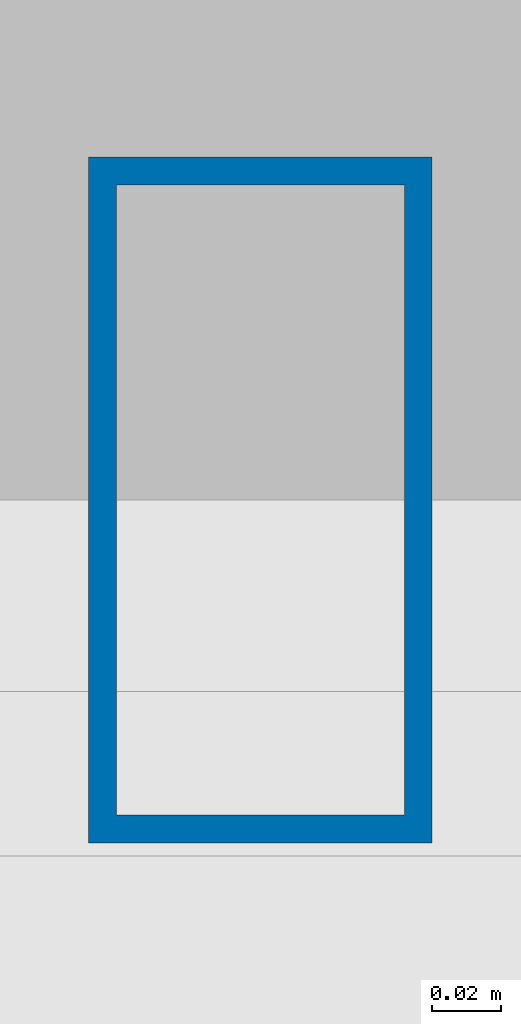
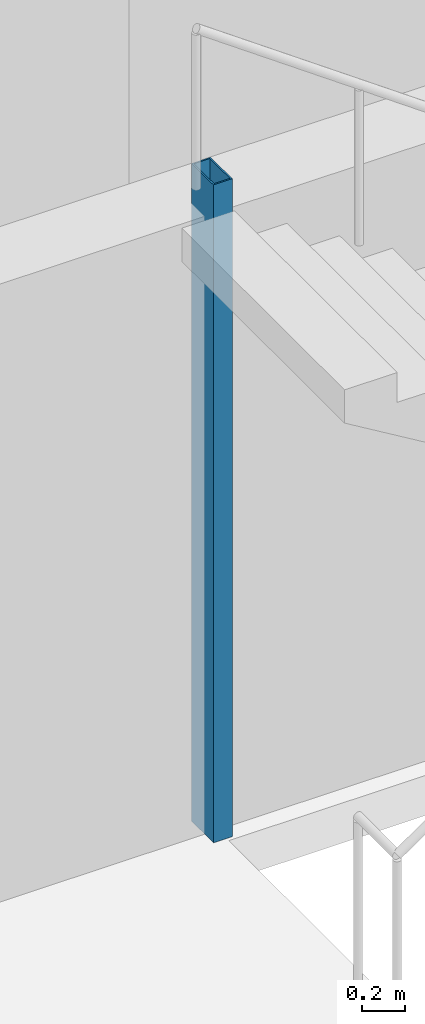
# One storey, part 2 of 18: 1 column.
"""IFC4 building model written with IfcOpenShell, lengths in metres."""

import ifcopenshell
import ifcopenshell.guid

model = None  # the IFC model being written
_history = None  # IfcOwnerHistory: only IFC2X3 demands one
_inside = {}  # id of a spatial element -> (the spatial element, [elements in it])
_under = {}  # id of a project, library or spatial element -> (it, [spatial elements below it])
_declared = {}  # id of a project -> (the project, [libraries it declares])
_typed = {}  # id of a type object -> (the type object, [elements of that type])
_made_of = {}  # id of a material, layer set ... -> (it, [elements and type objects made of it])


def new_model(schema):
    """Start an empty IFC model of exactly this schema.

    Asked for "IFC4X3", IfcOpenShell would pick the latest addendum, in which some entities
    have other attributes; the version numbers below select the first issue.
    IFC2X3 requires an IfcOwnerHistory on every rooted entity: one is made here for all.
    """
    global model, _history
    if schema == "IFC4X3":
        model = ifcopenshell.file(schema_version=(4, 3, 0, 0))
    else:
        model = ifcopenshell.file(schema=schema)
    _inside.clear()
    _under.clear()
    _declared.clear()
    _typed.clear()
    _made_of.clear()
    _history = None
    if model.schema == "IFC2X3":
        org = make("IfcOrganization", Name="unknown")
        user = make(
            "IfcPersonAndOrganization",
            ThePerson=make("IfcPerson", FamilyName="unknown"),
            TheOrganization=org,
        )
        app = make(
            "IfcApplication",
            ApplicationDeveloper=org,
            Version="unknown",
            ApplicationFullName="unknown",
            ApplicationIdentifier="unknown",
        )
        _history = make(
            "IfcOwnerHistory",
            OwningUser=user,
            OwningApplication=app,
            ChangeAction="ADDED",
            CreationDate=0,
        )
    return model


def make(cls, **values):
    """One entity of the class cls with the attributes given. An attribute that is None is left unset."""
    return model.create_entity(
        cls, **{name: value for name, value in values.items() if value is not None}
    )


def rooted(cls, **values):
    """An entity with a GlobalId (a new one), such as an element, a storey or a relation."""
    return make(cls, GlobalId=ifcopenshell.guid.new(), OwnerHistory=_history, **values)


def si_unit(unit_type, name, prefix=None):
    """IfcSIUnit, for example si_unit("LENGTHUNIT", "METRE", prefix="MILLI")."""
    return make("IfcSIUnit", UnitType=unit_type, Prefix=prefix, Name=name)


def assignment(units):
    """IfcUnitAssignment: the units of a project."""
    return None if units is None else make("IfcUnitAssignment", Units=units)


def point(xyz):
    """IfcCartesianPoint."""
    return None if xyz is None else make("IfcCartesianPoint", Coordinates=xyz)


def direction(xyz):
    """IfcDirection."""
    return None if xyz is None else make("IfcDirection", DirectionRatios=xyz)


def frame(location, z_axis=None, x_axis=None):
    """IfcAxis2Placement3D, a coordinate frame: its origin and axes. An axis left out is left unset."""
    return make(
        "IfcAxis2Placement3D",
        Location=point(location),
        Axis=direction(z_axis),
        RefDirection=direction(x_axis),
    )


def frame_2d(location, x_axis=None):
    """IfcAxis2Placement2D, a coordinate frame in the plane: its origin and x axis."""
    return make(
        "IfcAxis2Placement2D", Location=point(location), RefDirection=direction(x_axis)
    )


def origin():
    """The frame at (0, 0, 0) with its axes left unset."""
    return frame((0.0, 0.0, 0.0))


def origin_2d():
    """The frame at (0, 0) in the plane with its x axis left unset."""
    return frame_2d((0.0, 0.0))


def place(relative_to, where):
    """IfcLocalPlacement: puts the frame where relative to a parent placement (None: the world)."""
    return make(
        "IfcLocalPlacement", PlacementRelTo=relative_to, RelativePlacement=where
    )


def context(
    kind, dimensions, precision=None, world=None, true_north=None, identifier=None
):
    """IfcGeometricRepresentationContext, for example the 3D "Model" context."""
    return make(
        "IfcGeometricRepresentationContext",
        ContextIdentifier=identifier,
        ContextType=kind,
        CoordinateSpaceDimension=dimensions,
        Precision=precision,
        WorldCoordinateSystem=world,
        TrueNorth=true_north,
    )


def subcontext(parent, identifier, kind, view, scale=None):
    """IfcGeometricRepresentationSubContext, for example "Body" below "Model"."""
    return make(
        "IfcGeometricRepresentationSubContext",
        ContextIdentifier=identifier,
        ContextType=kind,
        ParentContext=parent,
        TargetScale=scale,
        TargetView=view,
    )


def project(units=None, contexts=None):
    """IfcProject with its units and contexts."""
    return rooted(
        "IfcProject",
        Name="project",
        RepresentationContexts=contexts,
        UnitsInContext=assignment(units),
    )


def spatial(cls, under=None, at=None, **own):
    """A site, building, storey or space (cls), placed at a placement, below another one or the project."""
    s = rooted(cls, ObjectPlacement=at, **own)
    if under is not None:
        _under.setdefault(under.id(), (under, []))[1].append(s)
    return s


def profile(cls, at=None, kind="AREA", **sizes):
    """A parametric profile (cls). Its sizes go by their IFC names, for example OverallWidth=200.0."""
    return make(cls, ProfileType=kind, Position=at, **sizes)


def hollow_rectangle(**sizes):
    """IfcRectangleHollowProfileDef."""
    return profile("IfcRectangleHollowProfileDef", **sizes)


def extrude(swept, where, along, depth):
    """IfcExtrudedAreaSolid: the profile swept, set in the frame where, extruded along a direction by depth."""
    return make(
        "IfcExtrudedAreaSolid",
        SweptArea=swept,
        Position=where,
        ExtrudedDirection=direction(along),
        Depth=depth,
    )


def shape(context_of_items, identifier, shape_type, items):
    """IfcShapeRepresentation: the items that make up one representation, for example the "Body"."""
    return make(
        "IfcShapeRepresentation",
        ContextOfItems=context_of_items,
        RepresentationIdentifier=identifier,
        RepresentationType=shape_type,
        Items=items,
    )


def material(Name=None, Category=None):
    """IfcMaterial."""
    return make("IfcMaterial", Name=Name, Category=Category)


def material_profile(
    of_material, cross_section, Name=None, Category=None, Priority=None
):
    """IfcMaterialProfile: a cross section and its material."""
    return make(
        "IfcMaterialProfile",
        Name=Name,
        Material=of_material,
        Profile=cross_section,
        Priority=Priority,
        Category=Category,
    )


def profile_set(profiles, Name=None, composite=None):
    """IfcMaterialProfileSet."""
    return make(
        "IfcMaterialProfileSet",
        Name=Name,
        MaterialProfiles=profiles,
        CompositeProfile=composite,
    )


def made_of(thing, what):
    """Note that an element or type object is made of a material, layer set ...; save() writes the relation."""
    if what is not None:
        _made_of.setdefault(what.id(), (what, []))[1].append(thing)
    return thing


def type_object(cls, material=None, **own):
    """A type object (cls), such as IfcWallType, which elements share."""
    return made_of(rooted(cls, **own), material)


def element(
    cls,
    number,
    at=None,
    inside=None,
    cuts=None,
    type_object=None,
    material=None,
    context=None,
    identifier="Body",
    shape_type=None,
    held_by="IfcProductDefinitionShape",
    body=None,
    shapes=None,
    **own,
):
    """One element of the class cls, such as IfcWall. Its Tag is "e" and its number.

    at: its placement. inside: the storey or other place that contains it. cuts: it is an
    opening in that element (IfcRelVoidsElement). A single representation is given by context,
    identifier, shape_type and body (its items); several are given by shapes. held_by: the class
    of the entity that holds the representations. save() writes the other relations.
    """
    e = rooted(cls, Tag="e%d" % number, ObjectPlacement=at, **own)
    if body is not None:
        shapes = [shape(context, identifier, shape_type, body)]
    if shapes is not None:
        e.Representation = make(held_by, Representations=shapes)
    if inside is not None:
        _inside.setdefault(inside.id(), (inside, []))[1].append(e)
    if cuts is not None:
        rooted(
            "IfcRelVoidsElement", RelatingBuildingElement=cuts, RelatedOpeningElement=e
        )
    if type_object is not None:
        _typed.setdefault(type_object.id(), (type_object, []))[1].append(e)
    return made_of(e, material)


def aggregate(whole, parts):
    """IfcRelAggregates: a whole, such as a stair, and the parts it consists of."""
    return rooted("IfcRelAggregates", RelatingObject=whole, RelatedObjects=parts)


def save(model, path):
    """Write the relations noted so far, then the file.

    IfcRelAggregates (storeys below a building ...), IfcRelContainedInSpatialStructure (elements
    in a storey), IfcRelDefinesByType, IfcRelAssociatesMaterial and IfcRelDeclares: one each for
    every whole, place, type object, material and project.
    """
    for whole, parts in _under.values():
        aggregate(whole, parts)
    for where, things in _inside.values():
        rooted(
            "IfcRelContainedInSpatialStructure",
            RelatedElements=things,
            RelatingStructure=where,
        )
    for kind, things in _typed.values():
        rooted("IfcRelDefinesByType", RelatedObjects=things, RelatingType=kind)
    for what, things in _made_of.values():
        rooted("IfcRelAssociatesMaterial", RelatedObjects=things, RelatingMaterial=what)
    for by, libraries in _declared.values():
        rooted("IfcRelDeclares", RelatingContext=by, RelatedDefinitions=libraries)
    model.write(path)


model = new_model("IFC4")

# Units and contexts
model_context = context("Model", 3, precision=1e-05, world=origin(), true_north=direction((0.0, 1.0)))
body_context = subcontext(model_context, "Body", "Model", "MODEL_VIEW")
ifc_project = project(units=[si_unit("LENGTHUNIT", "METRE"), si_unit("AREAUNIT", "SQUARE_METRE"), si_unit("VOLUMEUNIT", "CUBIC_METRE"), si_unit("PLANEANGLEUNIT", "RADIAN"), si_unit("MASSUNIT", "GRAM", prefix="KILO")], contexts=[model_context])

# Site, building, storey
site_placement = place(None, origin())
site = spatial("IfcSite", under=ifc_project, at=site_placement, CompositionType="ELEMENT")
building_placement = place(site_placement, origin())
building = spatial("IfcBuilding", under=site, at=building_placement, Name="Menara Jurai Vektor", CompositionType="ELEMENT")
storey_placement = place(building_placement, frame((0.0, 0.0, 105.89990234375)))
storey = spatial("IfcBuildingStorey", under=building, at=storey_placement, Name="L26", CompositionType="ELEMENT", Elevation=105.89990234375)

# Column
ifc_material = material(Name="Steel S355", Category="steel")
ifc_material_profile = material_profile(ifc_material, hollow_rectangle(XDim=0.10009765625, YDim=0.199951171875, WallThickness=0.008056640625, at=origin_2d()), Name="RHS 200x100x8")
ifc_profile_set = profile_set([ifc_material_profile], Name="Steel S355")
column_type = type_object("IfcColumnType", Name="STR-COL-STAIR", PredefinedType="COLUMN", material=ifc_profile_set)
column_placement = place(storey_placement, frame((-11.1201171875, 5.419921875, 0.0), z_axis=(0.0, 0.0, 1.0), x_axis=(1.0, 0.0, 0.0)))
element("IfcColumn", 1, at=column_placement, inside=storey, type_object=column_type, Name="Stair Well Header Column ST1-P2 L26", PredefinedType="COLUMN", context=body_context, shape_type="SweptSolid", body=[
    extrude(hollow_rectangle(XDim=0.10009765625, YDim=0.199951171875, WallThickness=0.008056640625, at=origin_2d()), origin(), (0.0, 0.0, 1.0), 3.7001953125),
])

save(model, "model.ifc")
